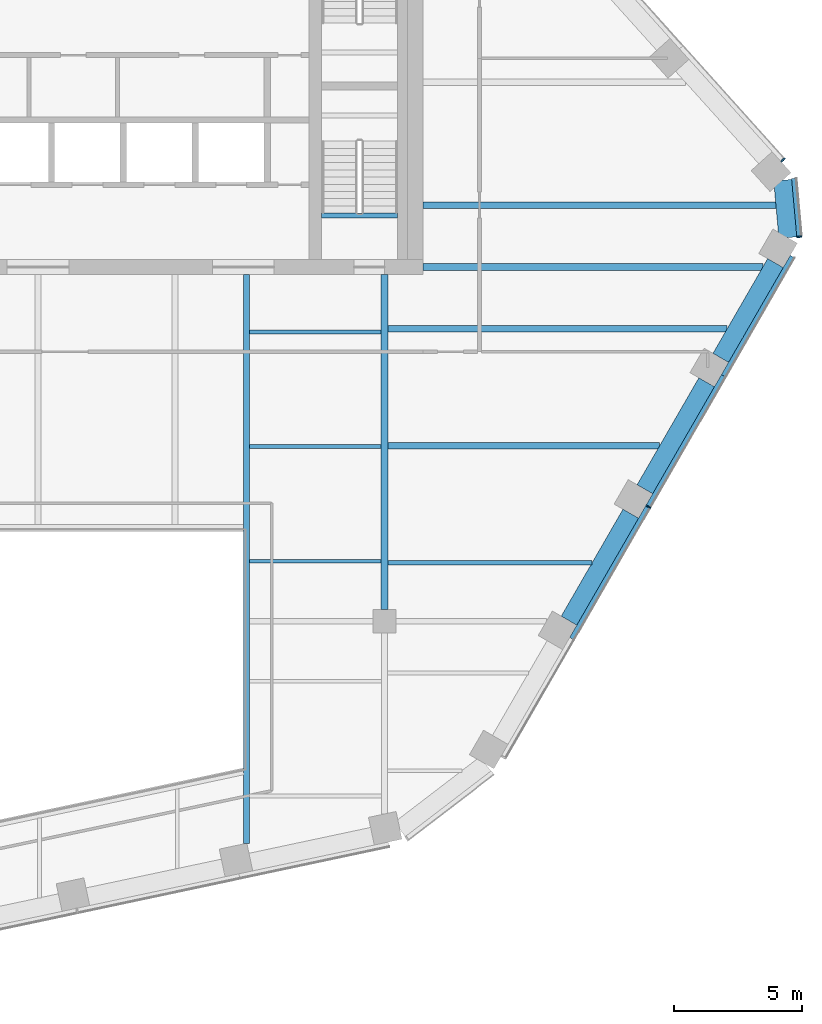
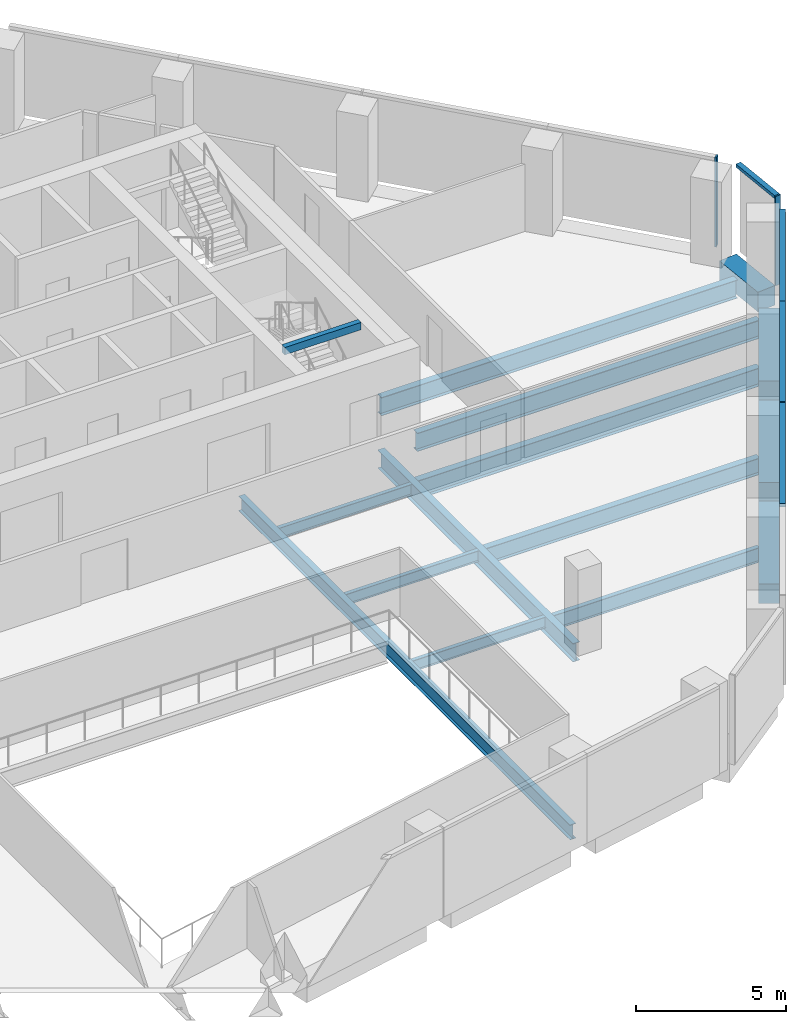
# One storey, part 5 of 15: 15 beams, 7 members, 3 elements without a shape of their own.
"""IFC4 building model written with IfcOpenShell, lengths in metres."""

from ifc_helpers import new_model, si_unit, direction, frame, origin, origin_2d, place, context, subcontext, project, spatial, rectangle, i_section, extrude, material, layer, layer_set, material_profile, profile_set, type_object, element, aggregate, save


model = new_model("IFC4")

# Units and contexts
model_context = context("Model", 3, precision=1e-05, world=origin(), true_north=direction((0.0, 1.0)))
body_context = subcontext(model_context, "Body", "Model", "MODEL_VIEW")
ifc_project = project(units=[si_unit("LENGTHUNIT", "METRE"), si_unit("AREAUNIT", "SQUARE_METRE"), si_unit("VOLUMEUNIT", "CUBIC_METRE"), si_unit("PLANEANGLEUNIT", "RADIAN"), si_unit("MASSUNIT", "GRAM", prefix="KILO")], contexts=[model_context])

# Site, building, storey
site_placement = place(None, origin())
site = spatial("IfcSite", under=ifc_project, at=site_placement, CompositionType="ELEMENT")
building_placement = place(site_placement, origin())
building = spatial("IfcBuilding", under=site, at=building_placement, Name="Isthmus Gate Tower", CompositionType="ELEMENT")
storey_placement = place(building_placement, frame((0.0, 0.0, 230.89990234375)))
storey = spatial("IfcBuildingStorey", under=building, at=storey_placement, Name="L58", CompositionType="ELEMENT", Elevation=230.89990234375)

# Curtain wall, member
ifc_material_1 = material(Name="Aluminium, pale champagne anodised", Category="aluminium")
ifc_layer = layer(ifc_material_1, 0.199951171875)
ifc_layer_set = layer_set([ifc_layer], Name="CW-1 UNITISED CURTAIN WALL 200 DEEP")
curtain_wall_type = type_object("IfcCurtainWallType", Name="CW-1 UNITISED CURTAIN WALL 200 DEEP", PredefinedType="NOTDEFINED", material=ifc_layer_set)
curtain_wall_1_placement = place(storey_placement, origin())
curtain_wall_1 = element("IfcCurtainWall", 1, at=curtain_wall_1_placement, inside=storey, type_object=curtain_wall_type, Name="CW-1 SE L58", PredefinedType="NOTDEFINED")
ifc_material_2 = material(Name="Aluminium, pale champagne anodised", Category="aluminium")
ifc_material_profile_1 = material_profile(ifc_material_2, rectangle(XDim=0.06005859375, YDim=0.199951171875, at=origin_2d()), Name="60x200")
ifc_profile_set_1 = profile_set([ifc_material_profile_1], Name="Aluminium, pale champagne anodised")
member_type_1 = type_object("IfcMemberType", Name="CW-1 MULLION 60 X 200", PredefinedType="MULLION", material=ifc_profile_set_1)
member_1_placement = place(storey_placement, frame((23.767333984375, -9.033935546875, 0.0), z_axis=(0.0, 0.0, 1.0), x_axis=(0.5, 0.866025403784, 0.0)))
member_1 = element("IfcMember", 2, at=member_1_placement, type_object=member_type_1, Name="CW-1 mullion", PredefinedType="MULLION", context=body_context, shape_type="SweptSolid", body=[
    extrude(rectangle(XDim=0.06005859375, YDim=0.199951171875, at=origin_2d()), origin(), (0.0, 0.0, 1.0), 3.650146484375),
])

curtain_wall_2_placement = place(storey_placement, origin())
curtain_wall_2 = element("IfcCurtainWall", 3, at=curtain_wall_2_placement, inside=storey, type_object=curtain_wall_type, Name="CW-1 SE-NE L58", PredefinedType="NOTDEFINED")
member_2_placement = place(storey_placement, frame((29.654296875, 1.4765625, 0.0), z_axis=(0.0, 0.0, 1.0), x_axis=(-0.089396669717, 0.995996102123, 0.0)))
member_2 = element("IfcMember", 4, at=member_2_placement, type_object=member_type_1, Name="CW-1 mullion", PredefinedType="MULLION", context=body_context, shape_type="SweptSolid", body=[
    extrude(rectangle(XDim=0.06005859375, YDim=0.199951171875, at=origin_2d()), origin(), (0.0, 0.0, 1.0), 3.650146484375),
])

curtain_wall_3_placement = place(storey_placement, origin())
curtain_wall_3 = element("IfcCurtainWall", 5, at=curtain_wall_3_placement, inside=storey, type_object=curtain_wall_type, Name="CW-1 NE L58", PredefinedType="NOTDEFINED")
member_3_placement = place(storey_placement, frame((29.016357421875, 4.46923828125, 0.0), z_axis=(0.0, 0.0, 1.0), x_axis=(-0.669130606359, 0.743144825477, 0.0)))
member_3 = element("IfcMember", 6, at=member_3_placement, type_object=member_type_1, Name="CW-1 mullion", PredefinedType="MULLION", context=body_context, shape_type="SweptSolid", body=[
    extrude(rectangle(XDim=0.06005859375, YDim=0.199951171875, at=origin_2d()), origin(), (0.0, 0.0, 1.0), 3.650146484375),
])
aggregate(curtain_wall_3, [member_3])

# Member
ifc_material_3 = material(Name="Aluminium, pale champagne anodised", Category="aluminium")
ifc_material_profile_2 = material_profile(ifc_material_3, rectangle(XDim=0.199951171875, YDim=0.1298828125, at=origin_2d()), Name="200x130")
ifc_profile_set_2 = profile_set([ifc_material_profile_2], Name="Aluminium, pale champagne anodised")
member_type_2 = type_object("IfcMemberType", Name="CW-1 TRANSOM 200 X 130", PredefinedType="USERDEFINED", material=ifc_profile_set_2)
member_4_placement = place(storey_placement, frame((20.796875, -14.178466796875, 3.585205078125), z_axis=(0.500008496284, 0.866020498397, 0.0), x_axis=(-0.866020498397, 0.500008496284, 0.0)))
member_4 = element("IfcMember", 7, at=member_4_placement, type_object=member_type_2, Name="CW-1 transom", ObjectType="TRANSOM", PredefinedType="USERDEFINED", context=body_context, shape_type="SweptSolid", body=[
    extrude(rectangle(XDim=0.199951171875, YDim=0.1298828125, at=origin_2d()), origin(), (0.0, 0.0, 1.0), 5.91064453125),
])

member_5_placement = place(storey_placement, frame((23.7822265625, -9.0078125, 3.585205078125), z_axis=(0.500007820066, 0.86602088882, 0.0), x_axis=(-0.86602088882, 0.500007820066, 0.0)))
member_5 = element("IfcMember", 8, at=member_5_placement, type_object=member_type_2, Name="CW-1 transom", ObjectType="TRANSOM", PredefinedType="USERDEFINED", context=body_context, shape_type="SweptSolid", body=[
    extrude(rectangle(XDim=0.199951171875, YDim=0.1298828125, at=origin_2d()), origin(), (0.0, 0.0, 1.0), 5.8505859375),
])

member_6_placement = place(storey_placement, frame((26.70751953125, -3.941162109375, 3.585205078125), z_axis=(0.50002338526, 0.866011901877, 0.0), x_axis=(-0.866011901877, 0.50002338526, 0.0)))
member_6 = element("IfcMember", 9, at=member_6_placement, type_object=member_type_2, Name="CW-1 transom", ObjectType="TRANSOM", PredefinedType="USERDEFINED", context=body_context, shape_type="SweptSolid", body=[
    extrude(rectangle(XDim=0.199951171875, YDim=0.1298828125, at=origin_2d()), origin(), (0.0, 0.0, 1.0), 5.360595703125),
])

aggregate(curtain_wall_1, [member_4, member_1, member_5, member_6])

member_7_placement = place(storey_placement, frame((29.651611328125, 1.506591796875, 3.585205078125), z_axis=(-0.089395362867, 0.995996219419, 0.0), x_axis=(-0.995996219419, -0.089395362867, 0.0)))
member_7 = element("IfcMember", 10, at=member_7_placement, type_object=member_type_2, Name="CW-1 transom", ObjectType="TRANSOM", PredefinedType="USERDEFINED", context=body_context, shape_type="SweptSolid", body=[
    extrude(rectangle(XDim=0.199951171875, YDim=0.1298828125, at=origin_2d()), origin(), (0.0, 0.0, 1.0), 2.258544921875),
])

aggregate(curtain_wall_2, [member_2, member_7])

# Beams
ifc_material_4 = material(Name="Concrete f'c 50 MPa", Category="concrete")
ifc_material_profile_3 = material_profile(ifc_material_4, rectangle(XDim=0.699951171875, YDim=0.800048828125, at=origin_2d()), Name="RC 700X800")
ifc_profile_set_3 = profile_set([ifc_material_profile_3], Name="Concrete f'c 50 MPa")
beam_type_1 = type_object("IfcBeamType", Name="RC SPANDREL 700 X 800", PredefinedType="SPANDREL", material=ifc_profile_set_3)
beam_1_placement = place(storey_placement, frame((29.0048828125, 3.678466796875, -0.39990234375), z_axis=(0.089359478208, -0.995999439585, 0.0), x_axis=(0.995999439585, 0.089359478208, 0.0)))
element("IfcBeam", 11, at=beam_1_placement, inside=storey, type_object=beam_type_1, Name="str-spandrel-L58-05", PredefinedType="SPANDREL", context=body_context, shape_type="SweptSolid", body=[
    extrude(rectangle(XDim=0.699951171875, YDim=0.800048828125, at=origin_2d()), origin(), (0.0, 0.0, 1.0), 2.245849609375),
])
beam_2_placement = place(storey_placement, frame((28.72314453125, 0.449951171875, -0.39990234375), z_axis=(-0.500021719575, -0.866012863619, 0.0), x_axis=(0.866012863619, -0.500021719575, 0.0)))
element("IfcBeam", 12, at=beam_2_placement, inside=storey, type_object=beam_type_1, Name="str-spandrel-L58-06", PredefinedType="SPANDREL", context=body_context, shape_type="SweptSolid", body=[
    extrude(rectangle(XDim=0.699951171875, YDim=0.800048828125, at=origin_2d()), origin(), (0.0, 0.0, 1.0), 4.260498046875),
])
for number, where, z_axis, x_axis, name in (
    (13, (26.04296875, -4.1923828125, -0.39990234375), (-0.500019702373, -0.866014028315, 0.0), (0.866014028315, -0.500019702373, 0.0), "str-spandrel-L58-07"),
    (14, (23.087646484375, -9.31103515625, -0.39990234375), (-0.49998164095, -0.866036003127, 0.0), (0.866036003127, -0.49998164095, 0.0), "str-spandrel-L58-08"),
):
    element("IfcBeam", number, at=place(storey_placement, frame(where, z_axis=z_axis, x_axis=x_axis)), inside=storey, type_object=beam_type_1, Name=name, PredefinedType="SPANDREL", context=body_context, shape_type="SweptSolid", body=[
        extrude(rectangle(XDim=0.699951171875, YDim=0.800048828125, at=origin_2d()), origin(), (0.0, 0.0, 1.0), 4.810791015625),
    ])
ifc_material_5 = material(Name="Concrete f'c 40 MPa", Category="concrete")
ifc_material_profile_4 = material_profile(ifc_material_5, rectangle(XDim=0.199951171875, YDim=0.300048828125, at=origin_2d()), Name="STAIR LANDING BEAM RC 200 X 300")
ifc_profile_set_4 = profile_set([ifc_material_profile_4], Name="Concrete f'c 40 MPa")
beam_type_2 = type_object("IfcBeamType", Name="STAIR LANDING BEAM RC 200 X 300", PredefinedType="BEAM", material=ifc_profile_set_4)
beam_3_placement = place(storey_placement, frame((11.050048828125, 2.2998046875, 3.35009765625), z_axis=(1.0, 0.0, 0.0), x_axis=(0.0, 1.0, 0.0)))
element("IfcBeam", 15, at=beam_3_placement, inside=storey, type_object=beam_type_2, Name="L58 ST8 floor-edge seat beam", PredefinedType="BEAM", context=body_context, shape_type="SweptSolid", body=[
    extrude(rectangle(XDim=0.199951171875, YDim=0.300048828125, at=origin_2d()), origin(), (0.0, 0.0, 1.0), 2.949951171875),
])
ifc_material_6 = material(Name="Structural steel ASTM A992 Gr 50", Category="steel")
ifc_material_profile_5 = material_profile(ifc_material_6, i_section(OverallWidth=0.15234375, OverallDepth=0.45068359375, WebThickness=0.0078125, FlangeThickness=0.010986328125, at=origin_2d()), Name="W18X35")
ifc_profile_set_5 = profile_set([ifc_material_profile_5], Name="Structural steel ASTM A992 Gr 50")
beam_type_3 = type_object("IfcBeamType", Name="STEEL FLOOR BEAM W18X35", PredefinedType="JOIST", material=ifc_profile_set_5)
for number, where, z_axis, x_axis, name in (
    (16, (8.228515625, -11.16259765625, -0.375244140625), (1.0, 0.0, 0.0), (0.0, 1.0, 0.0), "str-beam-L58-10-00"),
    (17, (8.228515625, -6.697509765625, -0.375244140625), (1.0, 0.0, 0.0), (0.0, 1.0, 0.0), "str-beam-L58-10-01"),
    (18, (8.228515625, -2.232421875, -0.375244140625), (1.0, 0.0, 0.0), (0.0, 1.0, 0.0), "str-beam-L58-10-02"),
):
    element("IfcBeam", number, at=place(storey_placement, frame(where, z_axis=z_axis, x_axis=x_axis)), inside=storey, type_object=beam_type_3, Name=name, PredefinedType="JOIST", context=body_context, shape_type="SweptSolid", body=[
        extrude(i_section(OverallWidth=0.15234375, OverallDepth=0.45068359375, WebThickness=0.0078125, FlangeThickness=0.010986328125, at=origin_2d()), origin(), (0.0, 0.0, 1.0), 5.1396484375),
    ])
ifc_material_7 = material(Name="Structural steel ASTM A992 Gr 50", Category="steel")
ifc_material_profile_6 = material_profile(ifc_material_7, i_section(OverallWidth=0.177734375, OverallDepth=0.60009765625, WebThickness=0.009521484375, FlangeThickness=0.0126953125, at=origin_2d()), Name="W24X55")
ifc_profile_set_6 = profile_set([ifc_material_profile_6], Name="Structural steel ASTM A992 Gr 50")
beam_type_4 = type_object("IfcBeamType", Name="STEEL FLOOR BEAM W24X55", PredefinedType="JOIST", material=ifc_profile_set_6)
beam_4_placement = place(storey_placement, frame((13.6318359375, -11.221923828125, -0.449951171875), z_axis=(1.0, 0.0, 0.0), x_axis=(0.0, 1.0, 0.0)))
element("IfcBeam", 19, at=beam_4_placement, inside=storey, type_object=beam_type_4, Name="str-beam-L58-12-00", PredefinedType="JOIST", context=body_context, shape_type="SweptSolid", body=[
    extrude(i_section(OverallWidth=0.177734375, OverallDepth=0.60009765625, WebThickness=0.009521484375, FlangeThickness=0.0126953125, at=origin_2d()), origin(), (0.0, 0.0, 1.0), 7.948486328125),
])
ifc_material_8 = material(Name="Structural steel ASTM A992 Gr 50", Category="steel")
ifc_material_profile_7 = material_profile(ifc_material_8, i_section(OverallWidth=0.25390625, OverallDepth=0.679443359375, WebThickness=0.010986328125, FlangeThickness=0.015869140625, at=origin_2d()), Name="W27X84")
ifc_profile_set_7 = profile_set([ifc_material_profile_7], Name="Structural steel ASTM A992 Gr 50")
beam_type_5 = type_object("IfcBeamType", Name="STEEL FLOOR BEAM W27X84", PredefinedType="JOIST", material=ifc_profile_set_7)
beam_5_placement = place(storey_placement, frame((13.6318359375, -6.665771484375, -0.489501953125), z_axis=(1.0, 0.0, 0.0), x_axis=(0.0, 1.0, 0.0)))
element("IfcBeam", 20, at=beam_5_placement, inside=storey, type_object=beam_type_5, Name="str-beam-L58-12-01", PredefinedType="JOIST", context=body_context, shape_type="SweptSolid", body=[
    extrude(i_section(OverallWidth=0.25390625, OverallDepth=0.679443359375, WebThickness=0.010986328125, FlangeThickness=0.015869140625, at=origin_2d()), origin(), (0.0, 0.0, 1.0), 10.578857421875),
])
ifc_material_9 = material(Name="Structural steel ASTM A992 Gr 50", Category="steel")
ifc_material_profile_8 = material_profile(ifc_material_9, i_section(OverallWidth=0.263427734375, OverallDepth=0.749267578125, WebThickness=0.0126953125, FlangeThickness=0.015869140625, at=origin_2d()), Name="W30X90")
ifc_profile_set_8 = profile_set([ifc_material_profile_8], Name="Structural steel ASTM A992 Gr 50")
beam_type_6 = type_object("IfcBeamType", Name="STEEL FLOOR BEAM W30X90", PredefinedType="JOIST", material=ifc_profile_set_8)
beam_6_placement = place(storey_placement, frame((13.6318359375, -2.10986328125, -0.524658203125), z_axis=(1.0, 0.0, 0.0), x_axis=(0.0, 1.0, 0.0)))
element("IfcBeam", 21, at=beam_6_placement, inside=storey, type_object=beam_type_6, Name="str-beam-L58-12-02", PredefinedType="JOIST", context=body_context, shape_type="SweptSolid", body=[
    extrude(i_section(OverallWidth=0.263427734375, OverallDepth=0.749267578125, WebThickness=0.0126953125, FlangeThickness=0.015869140625, at=origin_2d()), origin(), (0.0, 0.0, 1.0), 13.209228515625),
])
beam_7_placement = place(storey_placement, frame((15.0, 2.699951171875, -0.524658203125), z_axis=(1.0, 0.0, 0.0), x_axis=(0.0, 1.0, 0.0)))
element("IfcBeam", 22, at=beam_7_placement, inside=storey, type_object=beam_type_6, Name="str-beam-L58-13-00", PredefinedType="JOIST", context=body_context, shape_type="SweptSolid", body=[
    extrude(i_section(OverallWidth=0.263427734375, OverallDepth=0.749267578125, WebThickness=0.0126953125, FlangeThickness=0.015869140625, at=origin_2d()), origin(), (0.0, 0.0, 1.0), 13.7412109375),
])
ifc_material_10 = material(Name="Structural steel ASTM A992 Gr 50", Category="steel")
ifc_material_profile_9 = material_profile(ifc_material_10, i_section(OverallWidth=0.263427734375, OverallDepth=0.749267578125, WebThickness=0.0126953125, FlangeThickness=0.015869140625, at=origin_2d()), Name="W30X90")
ifc_profile_set_9 = profile_set([ifc_material_profile_9], Name="Structural steel ASTM A992 Gr 50")
beam_type_7 = type_object("IfcBeamType", Name="STEEL GIRDER W30X90", PredefinedType="BEAM", material=ifc_profile_set_9)
beam_8_placement = place(storey_placement, frame((13.5, -13.050048828125, -0.524658203125), z_axis=(0.0, 1.0, 0.0), x_axis=(-1.0, 0.0, 0.0)))
element("IfcBeam", 23, at=beam_8_placement, inside=storey, type_object=beam_type_7, Name="str-girder-L58-08", PredefinedType="BEAM", context=body_context, shape_type="SweptSolid", body=[
    extrude(i_section(OverallWidth=0.263427734375, OverallDepth=0.749267578125, WebThickness=0.0126953125, FlangeThickness=0.015869140625, at=origin_2d()), origin(), (0.0, 0.0, 1.0), 13.050048828125),
])
beam_9_placement = place(storey_placement, frame((15.0, 0.300048828125, -0.524658203125), z_axis=(1.0, 0.0, 0.0), x_axis=(0.0, 1.0, 0.0)))
element("IfcBeam", 24, at=beam_9_placement, inside=storey, type_object=beam_type_7, Name="str-girder-L58-10", PredefinedType="BEAM", context=body_context, shape_type="SweptSolid", body=[
    extrude(i_section(OverallWidth=0.263427734375, OverallDepth=0.749267578125, WebThickness=0.0126953125, FlangeThickness=0.015869140625, at=origin_2d()), origin(), (0.0, 0.0, 1.0), 13.232421875),
])
ifc_material_11 = material(Name="Structural steel ASTM A992 Gr 50", Category="steel")
ifc_material_profile_10 = material_profile(ifc_material_11, i_section(OverallWidth=0.228515625, OverallDepth=0.6064453125, WebThickness=0.010986328125, FlangeThickness=0.017578125, at=origin_2d()), Name="W24X76")
ifc_profile_set_10 = profile_set([ifc_material_profile_10], Name="Structural steel ASTM A992 Gr 50")
beam_type_8 = type_object("IfcBeamType", Name="STEEL TRIMMER W24X76", PredefinedType="BEAM", material=ifc_profile_set_10)
beam_10_placement = place(storey_placement, frame((8.1142578125, -22.150634765625, -0.453125), z_axis=(0.0, 1.0, 0.0), x_axis=(-1.0, 0.0, 0.0)))
element("IfcBeam", 25, at=beam_10_placement, inside=storey, type_object=beam_type_8, Name="str-trimmer-L58-01", PredefinedType="BEAM", context=body_context, shape_type="SweptSolid", body=[
    extrude(i_section(OverallWidth=0.228515625, OverallDepth=0.6064453125, WebThickness=0.010986328125, FlangeThickness=0.017578125, at=origin_2d()), origin(), (0.0, 0.0, 1.0), 22.150634765625),
])

save(model, "model.ifc")
